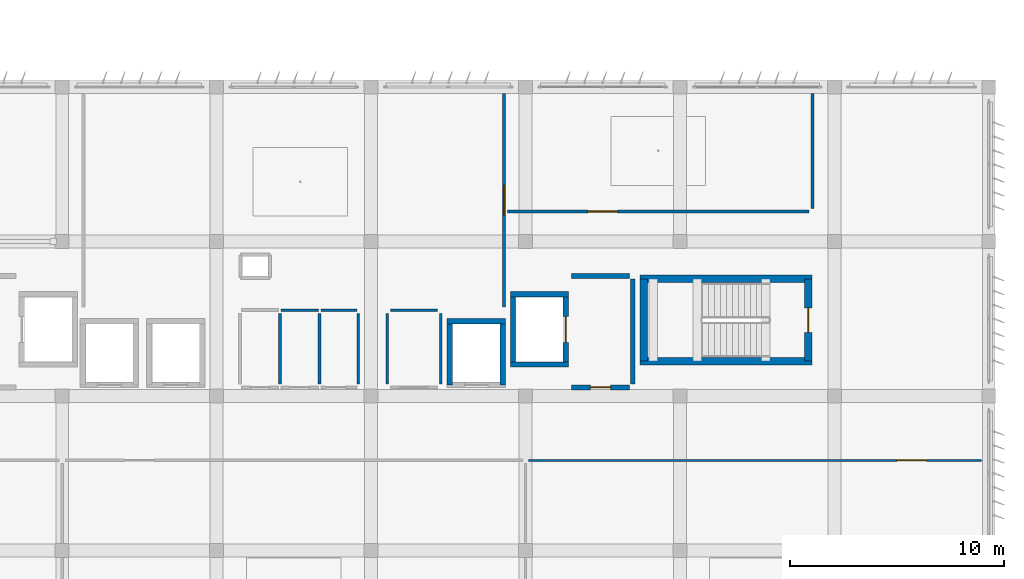
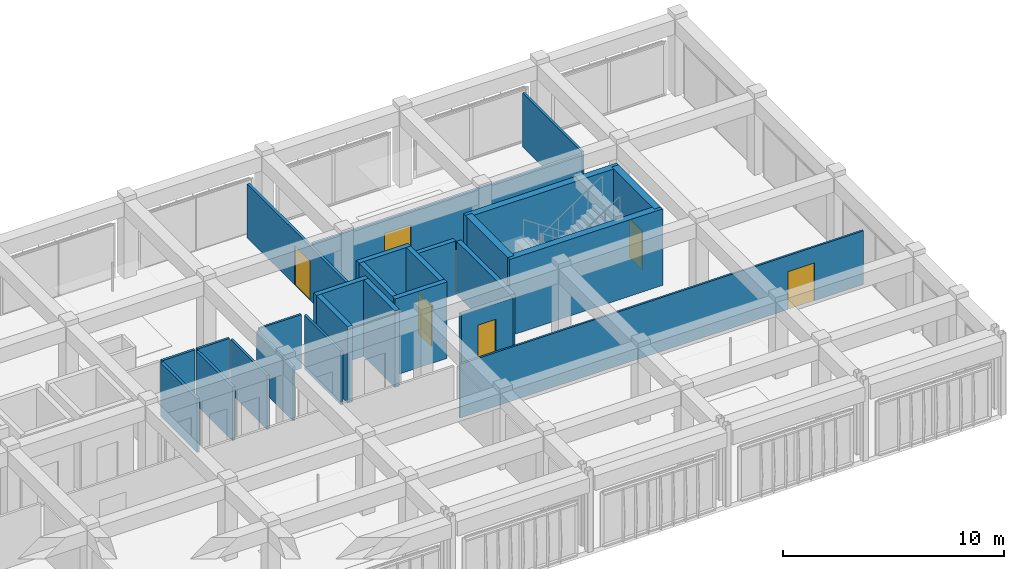
# One storey, part 36 of 56: 26 walls, 6 doors, 6 openings.
"""IFC4 building model written with IfcOpenShell, lengths in metres."""

from ifc_helpers import new_model, si_unit, direction, frame, frame_2d, origin, place, context, subcontext, project, spatial, rectangle, extrude, material, layer, layer_set, type_object, element, fill, save


model = new_model("IFC4")

# Units and contexts
model_context = context("Model", 3, precision=1e-05, world=origin(), true_north=direction((0.0, 1.0)))
body_context = subcontext(model_context, "Body", "Model", "MODEL_VIEW")
ifc_project = project(units=[si_unit("LENGTHUNIT", "METRE"), si_unit("AREAUNIT", "SQUARE_METRE"), si_unit("VOLUMEUNIT", "CUBIC_METRE"), si_unit("PLANEANGLEUNIT", "RADIAN"), si_unit("MASSUNIT", "GRAM", prefix="KILO")], contexts=[model_context])

# Site, building, storey
site_placement = place(None, origin())
site = spatial("IfcSite", under=ifc_project, at=site_placement, CompositionType="ELEMENT")
building_placement = place(site_placement, origin())
building = spatial("IfcBuilding", under=site, at=building_placement, Name="Kazehaya Institute of Natural Sciences", CompositionType="ELEMENT")
storey_placement = place(building_placement, frame((0.0, 0.0, 28.800048828125)))
storey = spatial("IfcBuildingStorey", under=building, at=storey_placement, Name="L06", CompositionType="ELEMENT", Elevation=28.800048828125)

# Walls
ifc_material_1 = material(Name="Concrete Fc42", Category="concrete")
ifc_layer_1 = layer(ifc_material_1, 0.35009765625, Name="Concrete Fc42", Category="concrete")
ifc_layer_set_1 = layer_set([ifc_layer_1], Name="Concrete Fc42")
wall_type_1 = type_object("IfcWallType", Name="WL-CORE-350", PredefinedType="SHEAR", material=ifc_layer_set_1)
for number, where, z_axis, x_axis, name in (
    (1, (111.155029296875, 22.820068359375, 0.0), (0.0, 0.0, 1.0), (-1.0, 0.0, 0.0), "L06 ST-2 core wall S"),
    (2, (103.14501953125, 26.659912109375, 0.0), (0.0, 0.0, 1.0), (1.0, 0.0, 0.0), "L06 ST-2 core wall N"),
):
    element("IfcWall", number, at=place(storey_placement, frame(where, z_axis=z_axis, x_axis=x_axis)), inside=storey, type_object=wall_type_1, Name=name, PredefinedType="SHEAR", context=body_context, shape_type="SweptSolid", body=[
        extrude(rectangle(XDim=8.010009765625, YDim=0.35009765625, at=frame_2d((4.0048828125, 0.0))), origin(), (0.0, 0.0, 1.0), 4.22998046875),
    ])
wall_1_placement = place(storey_placement, frame((103.320068359375, 22.820068359375, 0.0), z_axis=(0.0, 0.0, 1.0), x_axis=(0.0, 1.0, 0.0)))
element("IfcWall", 3, at=wall_1_placement, inside=storey, type_object=wall_type_1, Name="L06 ST-2 core wall W", PredefinedType="SHEAR", context=body_context, shape_type="SweptSolid", body=[
    extrude(rectangle(XDim=3.83984375, YDim=0.35009765625, at=frame_2d((1.919921875, 0.0))), origin(), (0.0, 0.0, 1.0), 4.22998046875),
])

# Wall, opening, door
wall_2_placement = place(storey_placement, frame((110.97998046875, 26.659912109375, 0.0), z_axis=(0.0, 0.0, 1.0), x_axis=(0.0, -1.0, 0.0)))
wall_2 = element("IfcWall", 4, at=wall_2_placement, inside=storey, type_object=wall_type_1, Name="L06 ST-2 core wall E", PredefinedType="SHEAR", context=body_context, shape_type="SweptSolid", body=[
    extrude(rectangle(XDim=3.83984375, YDim=0.35009765625, at=frame_2d((1.919921875, 0.0))), origin(), (0.0, 0.0, 1.0), 4.22998046875),
])
opening_1_placement = place(wall_2_placement, frame((1.35009765625, 0.0, 0.0)))
opening_1 = element("IfcOpeningElement", 5, at=opening_1_placement, cuts=wall_2, Name="Opening D-ST-019", PredefinedType="OPENING", context=body_context, shape_type="SweptSolid", body=[
    extrude(rectangle(XDim=1.139892578125, YDim=2.1201171875, at=frame_2d((0.56982421875, 1.06005859375))), frame((0.0, 0.18505859375, 0.0), z_axis=(0.0, -1.0, 0.0), x_axis=(1.0, 0.0, 0.0)), (0.0, 0.0, 1.0), 0.3701171875),
])
ifc_material_2 = material(Name="Fire-rated steel acoustic door", Category="steel")
door_type_1 = type_object("IfcDoorType", Name="DT-FD-20", OperationType="NOTDEFINED", PredefinedType="DOOR", material=ifc_material_2)
door_1_placement = place(opening_1_placement, origin())
door_1 = element("IfcDoor", 6, at=door_1_placement, inside=storey, type_object=door_type_1, Name="L06 ST-2 stair enclosure door D-ST-019", OperationType="SINGLE_SWING_LEFT", OverallHeight=2.1201171875, OverallWidth=1.139892578125, PredefinedType="DOOR", context=body_context, shape_type="SweptSolid", body=[
    extrude(rectangle(XDim=1.139892578125, YDim=2.1201171875, at=frame_2d((0.56982421875, 1.06005859375))), frame((0.0, 0.02490234375, 0.0), z_axis=(0.0, -1.0, 0.0), x_axis=(1.0, 0.0, 0.0)), (0.0, 0.0, 1.0), 0.050048828125),
])
fill(opening_1, door_1)

ifc_material_3 = material(Name="Concrete Fc36", Category="concrete")
ifc_layer_2 = layer(ifc_material_3, 0.22998046875, Name="Concrete Fc36", Category="concrete")
ifc_layer_set_2 = layer_set([ifc_layer_2], Name="Concrete Fc36")
wall_type_2 = type_object("IfcWallType", Name="WL-FFL-230", PredefinedType="PARTITIONING", material=ifc_layer_set_2)
wall_3_placement = place(storey_placement, frame((102.64990234375, 21.60009765625, 0.0), z_axis=(0.0, 0.0, 1.0), x_axis=(-1.0, 0.0, 0.0)))
wall_3 = element("IfcWall", 7, at=wall_3_placement, inside=storey, type_object=wall_type_2, Name="L06 East Firefighting Lift Lobby partition IW-L06-0293", PredefinedType="PARTITIONING", context=body_context, shape_type="SweptSolid", body=[
    extrude(rectangle(XDim=2.699951171875, YDim=0.22998046875, at=frame_2d((1.35009765625, 0.0))), origin(), (0.0, 0.0, 1.0), 2.97998046875),
])
opening_2_placement = place(wall_3_placement, frame((0.8798828125, 0.0, 0.0)))
opening_2 = element("IfcOpeningElement", 8, at=opening_2_placement, cuts=wall_3, Name="Opening D-L06-0171", PredefinedType="OPENING", context=body_context, shape_type="SweptSolid", body=[
    extrude(rectangle(XDim=0.93994140625, YDim=2.1201171875, at=frame_2d((0.469970703125, 1.06005859375))), frame((0.0, 0.125, 0.0), z_axis=(0.0, -1.0, 0.0), x_axis=(1.0, 0.0, 0.0)), (0.0, 0.0, 1.0), 0.25),
])
door_type_2 = type_object("IfcDoorType", Name="DT-FD-05", OperationType="NOTDEFINED", PredefinedType="DOOR", material=ifc_material_2)
door_2_placement = place(opening_2_placement, origin())
door_2 = element("IfcDoor", 9, at=door_2_placement, inside=storey, type_object=door_type_2, Name="L06 East Firefighting Lift Lobby door D-L06-0171", OperationType="SINGLE_SWING_LEFT", OverallHeight=2.1201171875, OverallWidth=0.93994140625, PredefinedType="DOOR", context=body_context, shape_type="SweptSolid", body=[
    extrude(rectangle(XDim=0.93994140625, YDim=2.1201171875, at=frame_2d((0.469970703125, 1.06005859375))), frame((0.0, 0.02490234375, 0.0), z_axis=(0.0, -1.0, 0.0), x_axis=(1.0, 0.0, 0.0)), (0.0, 0.0, 1.0), 0.050048828125),
])
fill(opening_2, door_2)

# Walls
wall_4_placement = place(storey_placement, frame((99.949951171875, 26.800048828125, 0.0), z_axis=(0.0, 0.0, 1.0), x_axis=(1.0, 0.0, 0.0)))
element("IfcWall", 10, at=wall_4_placement, inside=storey, type_object=wall_type_2, Name="L06 East Firefighting Lift Lobby partition IW-L06-0294", PredefinedType="PARTITIONING", context=body_context, shape_type="SweptSolid", body=[
    extrude(rectangle(XDim=2.699951171875, YDim=0.22998046875, at=frame_2d((1.35009765625, 0.0))), origin(), (0.0, 0.0, 1.0), 2.97998046875),
])
wall_5_placement = place(storey_placement, frame((102.800048828125, 26.64990234375, 0.0), z_axis=(0.0, 0.0, 1.0), x_axis=(0.0, -1.0, 0.0)))
element("IfcWall", 11, at=wall_5_placement, inside=storey, type_object=wall_type_2, Name="L06 East Firefighting Lift Lobby partition IW-L06-0295", PredefinedType="PARTITIONING", context=body_context, shape_type="SweptSolid", body=[
    extrude(rectangle(XDim=4.89990234375, YDim=0.22998046875, at=frame_2d((2.449951171875, 0.0))), origin(), (0.0, 0.0, 1.0), 2.97998046875),
])

# Wall, opening, door
ifc_material_4 = material(Name="Lightweight chase partition")
ifc_layer_3 = layer(ifc_material_4, 0.10009765625, Name="Lightweight chase partition")
ifc_layer_set_3 = layer_set([ifc_layer_3], Name="Lightweight chase partition")
wall_type_3 = type_object("IfcWallType", Name="WL-PART-100", PredefinedType="PARTITIONING", material=ifc_layer_set_3)
wall_6_placement = place(storey_placement, frame((97.949951171875, 18.199951171875, 0.0), z_axis=(0.0, 0.0, 1.0), x_axis=(1.0, 0.0, 0.0)))
wall_6 = element("IfcWall", 12, at=wall_6_placement, inside=storey, type_object=wall_type_3, Name="L06 Senior Fellow Write-up Office partition IW-L06-0314", PredefinedType="PARTITIONING", context=body_context, shape_type="SweptSolid", body=[
    extrude(rectangle(XDim=21.10009765625, YDim=0.10009765625, at=frame_2d((10.550048828125, 0.0))), origin(), (0.0, 0.0, 1.0), 2.97998046875),
])
opening_3_placement = place(wall_6_placement, frame((17.159912109375, 0.0, 0.0)))
opening_3 = element("IfcOpeningElement", 13, at=opening_3_placement, cuts=wall_6, Name="Opening D-L06-0178", PredefinedType="OPENING", context=body_context, shape_type="SweptSolid", body=[
    extrude(rectangle(XDim=1.3798828125, YDim=2.10009765625, at=frame_2d((0.68994140625, 1.050048828125))), frame((0.0, 0.06005859375, 0.0), z_axis=(0.0, -1.0, 0.0), x_axis=(1.0, 0.0, 0.0)), (0.0, 0.0, 1.0), 0.1201171875),
])
ifc_material_5 = material(Name="Flush timber and aluminium laboratory door", Category="wood")
door_type_3 = type_object("IfcDoorType", Name="DT-INT-50", OperationType="DOUBLE_DOOR_SINGLE_SWING", PredefinedType="DOOR", material=ifc_material_5)
door_3_placement = place(opening_3_placement, origin())
door_3 = element("IfcDoor", 14, at=door_3_placement, inside=storey, type_object=door_type_3, Name="L06 Senior Fellow Write-up Office door D-L06-0178", OperationType="DOUBLE_DOOR_SINGLE_SWING", OverallHeight=2.10009765625, OverallWidth=1.3798828125, PredefinedType="DOOR", context=body_context, shape_type="SweptSolid", body=[
    extrude(rectangle(XDim=1.3798828125, YDim=2.10009765625, at=frame_2d((0.68994140625, 1.050048828125))), frame((0.0, 0.02490234375, 0.0), z_axis=(0.0, -1.0, 0.0), x_axis=(1.0, 0.0, 0.0)), (0.0, 0.0, 1.0), 0.050048828125),
])
fill(opening_3, door_3)

# Walls
ifc_material_6 = material(Name="Glazed office demountable partition")
ifc_layer_4 = layer(ifc_material_6, 0.110107421875, Name="Glazed office demountable partition")
ifc_layer_set_4 = layer_set([ifc_layer_4], Name="Glazed office demountable partition")
wall_type_4 = type_object("IfcWallType", Name="WL-PART-110", PredefinedType="PARTITIONING", material=ifc_layer_set_4)
wall_7_placement = place(storey_placement, frame((91.5, 25.199951171875, 0.0), z_axis=(0.0, 0.0, 1.0), x_axis=(1.0, 0.0, 0.0)))
element("IfcWall", 15, at=wall_7_placement, inside=storey, type_object=wall_type_4, Name="L06 Ostomate WC partition IW-L06-0307", PredefinedType="PARTITIONING", context=body_context, shape_type="SweptSolid", body=[
    extrude(rectangle(XDim=2.199951171875, YDim=0.110107421875, at=frame_2d((1.10009765625, 0.0))), origin(), (0.0, 0.0, 1.0), 2.97998046875),
])
for number, where, z_axis, x_axis, name in (
    (16, (91.35009765625, 21.75, 0.0), (0.0, 0.0, 1.0), (0.0, 1.0, 0.0), "L06 Ostomate WC partition IW-L06-0308"),
    (17, (93.85009765625, 25.050048828125, 0.0), (0.0, 0.0, 1.0), (0.0, -1.0, 0.0), "L06 Ostomate WC partition IW-L06-0309"),
):
    element("IfcWall", number, at=place(storey_placement, frame(where, z_axis=z_axis, x_axis=x_axis)), inside=storey, type_object=wall_type_4, Name=name, PredefinedType="PARTITIONING", context=body_context, shape_type="SweptSolid", body=[
        extrude(rectangle(XDim=3.300048828125, YDim=0.110107421875, at=frame_2d((1.64990234375, 0.0))), origin(), (0.0, 0.0, 1.0), 2.97998046875),
    ])
ifc_material_7 = material(Name="Gypsum write-up office partition", Category="gypsum")
ifc_layer_5 = layer(ifc_material_7, 0.1201171875, Name="Gypsum write-up office partition", Category="gypsum")
ifc_layer_set_5 = layer_set([ifc_layer_5], Name="Gypsum write-up office partition")
wall_type_5 = type_object("IfcWallType", Name="WL-PART-120", PredefinedType="PARTITIONING", material=ifc_layer_set_5)
wall_8_placement = place(storey_placement, frame((88.260009765625, 25.199951171875, 0.0), z_axis=(0.0, 0.0, 1.0), x_axis=(1.0, 0.0, 0.0)))
element("IfcWall", 18, at=wall_8_placement, inside=storey, type_object=wall_type_5, Name="L06 Accessible WC partition IW-L06-0304", PredefinedType="PARTITIONING", context=body_context, shape_type="SweptSolid", body=[
    extrude(rectangle(XDim=1.679931640625, YDim=0.1201171875, at=frame_2d((0.83984375, 0.0))), origin(), (0.0, 0.0, 1.0), 2.97998046875),
])
wall_9_placement = place(storey_placement, frame((90.0, 25.050048828125, 0.0), z_axis=(0.0, 0.0, 1.0), x_axis=(0.0, -1.0, 0.0)))
element("IfcWall", 19, at=wall_9_placement, inside=storey, type_object=wall_type_5, Name="L06 Accessible WC partition IW-L06-0305", PredefinedType="PARTITIONING", context=body_context, shape_type="SweptSolid", body=[
    extrude(rectangle(XDim=3.300048828125, YDim=0.1201171875, at=frame_2d((1.64990234375, 0.0))), origin(), (0.0, 0.0, 1.0), 2.97998046875),
])

# Wall, opening, door
wall_10_placement = place(storey_placement, frame((111.030029296875, 29.800048828125, 0.0), z_axis=(0.0, 0.0, 1.0), x_axis=(-1.0, 0.0, 0.0)))
wall_10 = element("IfcWall", 20, at=wall_10_placement, inside=storey, type_object=wall_type_5, Name="L06 Cold Room and Autoclave Alcove partition IW-L06-0317", PredefinedType="PARTITIONING", context=body_context, shape_type="SweptSolid", body=[
    extrude(rectangle(XDim=14.080078125, YDim=0.1201171875, at=frame_2d((7.0400390625, 0.0))), origin(), (0.0, 0.0, 1.0), 2.97998046875),
])
opening_4_placement = place(wall_10_placement, frame((8.93994140625, 0.0, 0.0)))
opening_4 = element("IfcOpeningElement", 21, at=opening_4_placement, cuts=wall_10, Name="Opening D-L06-0180", PredefinedType="OPENING", context=body_context, shape_type="SweptSolid", body=[
    extrude(rectangle(XDim=1.3798828125, YDim=2.219970703125, at=frame_2d((0.68994140625, 1.10986328125))), frame((0.0, 0.070068359375, 0.0), z_axis=(0.0, -1.0, 0.0), x_axis=(1.0, 0.0, 0.0)), (0.0, 0.0, 1.0), 0.14013671875),
])
door_type_4 = type_object("IfcDoorType", Name="DT-INT-52", OperationType="DOUBLE_DOOR_SINGLE_SWING", PredefinedType="DOOR", material=ifc_material_5)
door_4_placement = place(opening_4_placement, origin())
door_4 = element("IfcDoor", 22, at=door_4_placement, inside=storey, type_object=door_type_4, Name="L06 Cold Room and Autoclave Alcove door D-L06-0180", OperationType="DOUBLE_DOOR_SINGLE_SWING", OverallHeight=2.219970703125, OverallWidth=1.3798828125, PredefinedType="DOOR", context=body_context, shape_type="SweptSolid", body=[
    extrude(rectangle(XDim=1.3798828125, YDim=2.219970703125, at=frame_2d((0.68994140625, 1.10986328125))), frame((0.0, 0.02490234375, 0.0), z_axis=(0.0, -1.0, 0.0), x_axis=(1.0, 0.0, 0.0)), (0.0, 0.0, 1.0), 0.050048828125),
])
fill(opening_4, door_4)

# Walls
wall_11_placement = place(storey_placement, frame((111.179931640625, 35.300048828125, 0.0), z_axis=(0.0, 0.0, 1.0), x_axis=(0.0, -1.0, 0.0)))
element("IfcWall", 23, at=wall_11_placement, inside=storey, type_object=wall_type_5, Name="L06 Cold Room and Autoclave Alcove partition IW-L06-0318", PredefinedType="PARTITIONING", context=body_context, shape_type="SweptSolid", body=[
    extrude(rectangle(XDim=5.35009765625, YDim=0.1201171875, at=frame_2d((2.675048828125, 0.0))), origin(), (0.0, 0.0, 1.0), 2.97998046875),
])
ifc_material_8 = material(Name="Moisture-resistant WC partition")
ifc_layer_6 = layer(ifc_material_8, 0.1298828125, Name="Moisture-resistant WC partition")
ifc_layer_set_6 = layer_set([ifc_layer_6], Name="Moisture-resistant WC partition")
wall_type_6 = type_object("IfcWallType", Name="WL-PART-130", PredefinedType="PARTITIONING", material=ifc_layer_set_6)
wall_12_placement = place(storey_placement, frame((86.409912109375, 25.199951171875, 0.0), z_axis=(0.0, 0.0, 1.0), x_axis=(1.0, 0.0, 0.0)))
element("IfcWall", 24, at=wall_12_placement, inside=storey, type_object=wall_type_6, Name="L06 Female WC partition IW-L06-0301", PredefinedType="PARTITIONING", context=body_context, shape_type="SweptSolid", body=[
    extrude(rectangle(XDim=1.72998046875, YDim=0.1298828125, at=frame_2d((0.864990234375, 0.0))), origin(), (0.0, 0.0, 1.0), 2.97998046875),
])
wall_13_placement = place(storey_placement, frame((88.199951171875, 25.050048828125, 0.0), z_axis=(0.0, 0.0, 1.0), x_axis=(0.0, -1.0, 0.0)))
element("IfcWall", 25, at=wall_13_placement, inside=storey, type_object=wall_type_6, Name="L06 Female WC partition IW-L06-0302", PredefinedType="PARTITIONING", context=body_context, shape_type="SweptSolid", body=[
    extrude(rectangle(XDim=3.300048828125, YDim=0.1298828125, at=frame_2d((1.64990234375, 0.0))), origin(), (0.0, 0.0, 1.0), 2.97998046875),
])
ifc_material_9 = material(Name="Gypsum partition", Category="gypsum")
ifc_layer_7 = layer(ifc_material_9, 0.139892578125, Name="Gypsum partition", Category="gypsum")
ifc_layer_set_7 = layer_set([ifc_layer_7], Name="Gypsum partition")
wall_type_7 = type_object("IfcWallType", Name="WL-PART-140", PredefinedType="PARTITIONING", material=ifc_layer_set_7)
wall_14_placement = place(storey_placement, frame((86.35009765625, 25.050048828125, 0.0), z_axis=(0.0, 0.0, 1.0), x_axis=(0.0, -1.0, 0.0)))
element("IfcWall", 26, at=wall_14_placement, inside=storey, type_object=wall_type_7, Name="L06 Male WC partition IW-L06-0299", PredefinedType="PARTITIONING", context=body_context, shape_type="SweptSolid", body=[
    extrude(rectangle(XDim=3.300048828125, YDim=0.139892578125, at=frame_2d((1.64990234375, 0.0))), origin(), (0.0, 0.0, 1.0), 2.97998046875),
])

# Wall, opening, door
wall_15_placement = place(storey_placement, frame((96.800048828125, 35.300048828125, 0.0), z_axis=(0.0, 0.0, 1.0), x_axis=(0.0, -1.0, 0.0)))
wall_15 = element("IfcWall", 27, at=wall_15_placement, inside=storey, type_object=wall_type_7, Name="L06 Surface Science Laboratory partition IW-L06-0316", PredefinedType="PARTITIONING", context=body_context, shape_type="SweptSolid", body=[
    extrude(rectangle(XDim=9.949951171875, YDim=0.139892578125, at=frame_2d((4.97509765625, 0.0))), origin(), (0.0, 0.0, 1.0), 2.97998046875),
])
opening_5_placement = place(wall_15_placement, frame((4.284912109375, 0.0, 0.0)))
opening_5 = element("IfcOpeningElement", 28, at=opening_5_placement, cuts=wall_15, Name="Opening D-L06-0179", PredefinedType="OPENING", context=body_context, shape_type="SweptSolid", body=[
    extrude(rectangle(XDim=1.3798828125, YDim=2.159912109375, at=frame_2d((0.68994140625, 1.080078125))), frame((0.0, 0.079833984375, 0.0), z_axis=(0.0, -1.0, 0.0), x_axis=(1.0, 0.0, 0.0)), (0.0, 0.0, 1.0), 0.159912109375),
])
door_type_5 = type_object("IfcDoorType", Name="DT-INT-51", OperationType="DOUBLE_DOOR_SINGLE_SWING", PredefinedType="DOOR", material=ifc_material_5)
door_5_placement = place(opening_5_placement, origin())
door_5 = element("IfcDoor", 29, at=door_5_placement, inside=storey, type_object=door_type_5, Name="L06 Surface Science Laboratory door D-L06-0179", OperationType="DOUBLE_DOOR_SINGLE_SWING", OverallHeight=2.159912109375, OverallWidth=1.3798828125, PredefinedType="DOOR", context=body_context, shape_type="SweptSolid", body=[
    extrude(rectangle(XDim=1.3798828125, YDim=2.159912109375, at=frame_2d((0.68994140625, 1.080078125))), frame((0.0, 0.02490234375, 0.0), z_axis=(0.0, -1.0, 0.0), x_axis=(1.0, 0.0, 0.0)), (0.0, 0.0, 1.0), 0.050048828125),
])
fill(opening_5, door_5)

# Walls
ifc_layer_8 = layer(ifc_material_1, 0.25, Name="Concrete Fc42", Category="concrete")
ifc_layer_set_8 = layer_set([ifc_layer_8], Name="Concrete Fc42")
wall_type_8 = type_object("IfcWallType", Name="WL-SHAFT-250", PredefinedType="SHEAR", material=ifc_layer_set_8)
for number, where, z_axis, x_axis, name in (
    (30, (99.81005859375, 22.6650390625, 0.0), (0.0, 0.0, 1.0), (-1.0, 0.0, 0.0), "L06 EL08 lift shaft wall south"),
    (31, (97.090087890625, 25.93505859375, 0.0), (0.0, 0.0, 1.0), (1.0, 0.0, 0.0), "L06 EL08 lift shaft wall north"),
):
    element("IfcWall", number, at=place(storey_placement, frame(where, z_axis=z_axis, x_axis=x_axis)), inside=storey, type_object=wall_type_8, Name=name, PredefinedType="SHEAR", context=body_context, shape_type="SweptSolid", body=[
        extrude(rectangle(XDim=2.719970703125, YDim=0.25, at=frame_2d((1.35986328125, 0.0))), origin(), (0.0, 0.0, 1.0), 4.22998046875),
    ])
wall_16_placement = place(storey_placement, frame((97.215087890625, 22.6650390625, 0.0), z_axis=(0.0, 0.0, 1.0), x_axis=(0.0, 1.0, 0.0)))
element("IfcWall", 32, at=wall_16_placement, inside=storey, type_object=wall_type_8, Name="L06 EL08 lift shaft wall west", PredefinedType="SHEAR", context=body_context, shape_type="SweptSolid", body=[
    extrude(rectangle(XDim=3.27001953125, YDim=0.25, at=frame_2d((1.635009765625, 0.0))), origin(), (0.0, 0.0, 1.0), 4.22998046875),
])

# Wall, opening, door
wall_17_placement = place(storey_placement, frame((99.68505859375, 25.93505859375, 0.0), z_axis=(0.0, 0.0, 1.0), x_axis=(0.0, -1.0, 0.0)))
wall_17 = element("IfcWall", 33, at=wall_17_placement, inside=storey, type_object=wall_type_8, Name="L06 EL08 lift shaft wall east", PredefinedType="SHEAR", context=body_context, shape_type="SweptSolid", body=[
    extrude(rectangle(XDim=3.27001953125, YDim=0.25, at=frame_2d((1.635009765625, 0.0))), origin(), (0.0, 0.0, 1.0), 4.22998046875),
])
opening_6_placement = place(wall_17_placement, frame((1.034912109375, 0.0, 0.0)))
opening_6 = element("IfcOpeningElement", 34, at=opening_6_placement, cuts=wall_17, Name="Opening LD-19", PredefinedType="OPENING", context=body_context, shape_type="SweptSolid", body=[
    extrude(rectangle(XDim=1.199951171875, YDim=2.25, at=frame_2d((0.60009765625, 1.125))), frame((0.0, 0.135009765625, 0.0), z_axis=(0.0, -1.0, 0.0), x_axis=(1.0, 0.0, 0.0)), (0.0, 0.0, 1.0), 0.27001953125),
])
ifc_material_10 = material(Name="Stainless-steel emergency lift landing door", Category="steel")
door_type_6 = type_object("IfcDoorType", Name="DT-LD-1200x2250", OperationType="SLIDING_TO_LEFT", PredefinedType="DOOR", material=ifc_material_10)
door_6_placement = place(opening_6_placement, origin())
door_6 = element("IfcDoor", 35, at=door_6_placement, inside=storey, type_object=door_type_6, Name="L06 EL08 sliding landing door LD-19", OperationType="SLIDING_TO_LEFT", OverallHeight=2.25, OverallWidth=1.199951171875, PredefinedType="DOOR", context=body_context, shape_type="SweptSolid", body=[
    extrude(rectangle(XDim=1.199951171875, YDim=2.25, at=frame_2d((0.60009765625, 1.125))), frame((0.0, 0.02490234375, 0.0), z_axis=(0.0, -1.0, 0.0), x_axis=(1.0, 0.0, 0.0)), (0.0, 0.0, 1.0), 0.050048828125),
])
fill(opening_6, door_6)

# Walls
wall_18_placement = place(storey_placement, frame((94.139892578125, 24.68505859375, 0.0), z_axis=(0.0, 0.0, 1.0), x_axis=(1.0, 0.0, 0.0)))
element("IfcWall", 36, at=wall_18_placement, inside=storey, type_object=wall_type_8, Name="L06 EL03 lift shaft wall north", PredefinedType="SHEAR", context=body_context, shape_type="SweptSolid", body=[
    extrude(rectangle(XDim=2.72021484375, YDim=0.25, at=frame_2d((1.360107421875, 0.0))), origin(), (0.0, 0.0, 1.0), 4.22998046875),
])
for number, where, z_axis, x_axis, name in (
    (37, (94.264892578125, 21.715087890625, 0.0), (0.0, 0.0, 1.0), (0.0, 1.0, 0.0), "L06 EL03 lift shaft wall west"),
    (38, (96.735107421875, 24.68505859375, 0.0), (0.0, 0.0, 1.0), (0.0, -1.0, 0.0), "L06 EL03 lift shaft wall east"),
):
    element("IfcWall", number, at=place(storey_placement, frame(where, z_axis=z_axis, x_axis=x_axis)), inside=storey, type_object=wall_type_8, Name=name, PredefinedType="SHEAR", context=body_context, shape_type="SweptSolid", body=[
        extrude(rectangle(XDim=2.969970703125, YDim=0.25, at=frame_2d((1.48486328125, 0.0))), origin(), (0.0, 0.0, 1.0), 4.22998046875),
    ])

save(model, "model.ifc")
